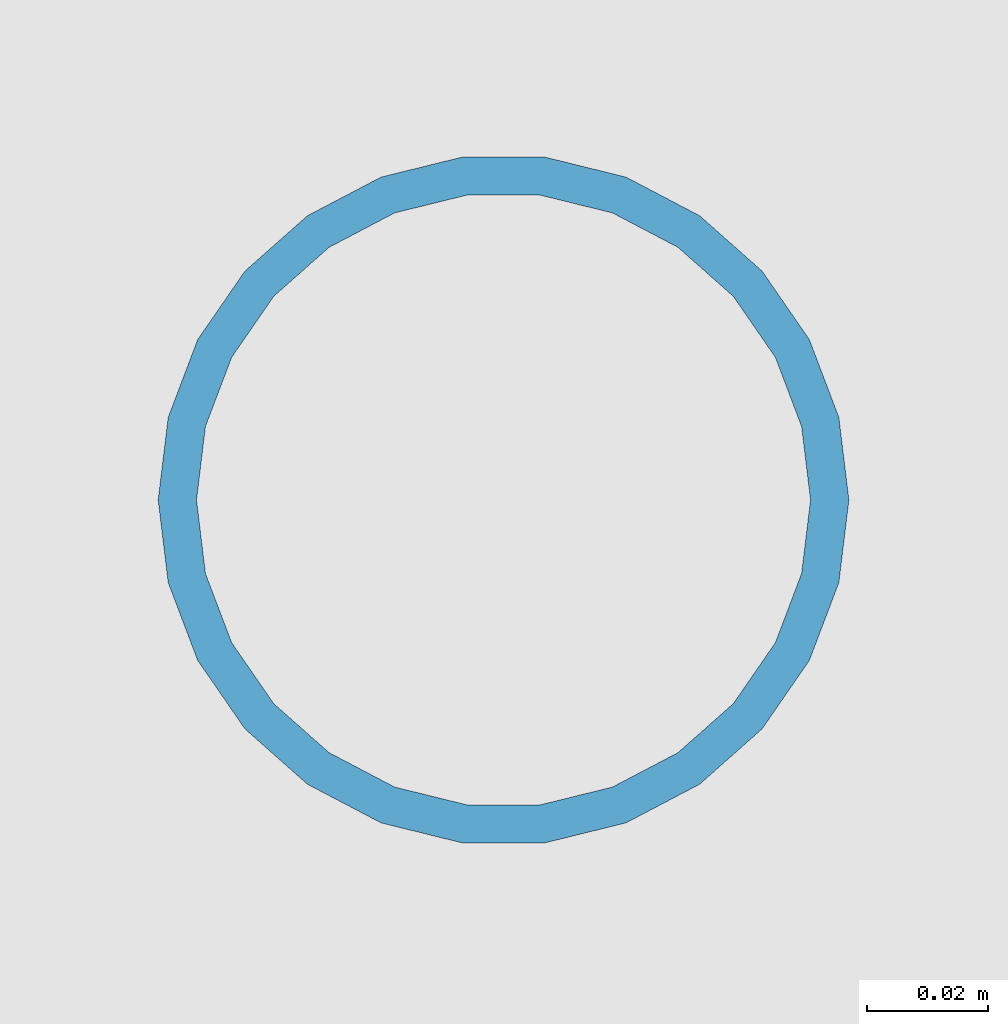
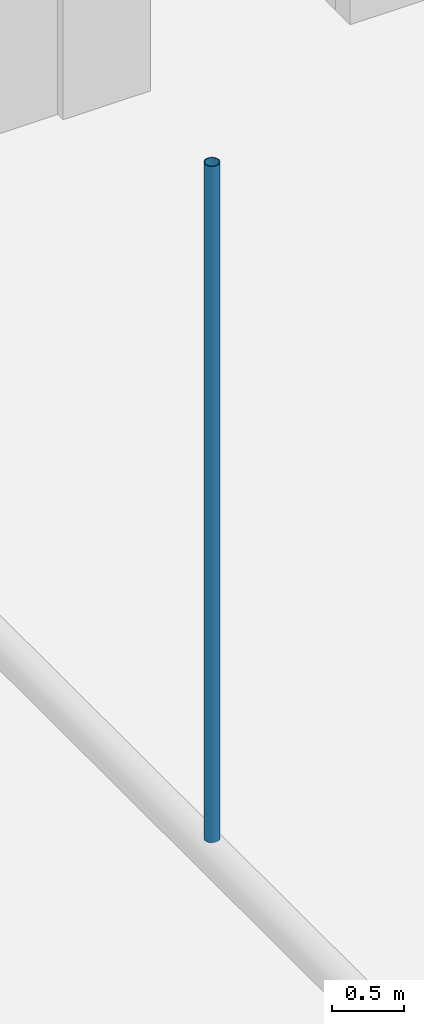
# One storey, part 65 of 212: 1 member.
"""IFC4 building model written with IfcOpenShell, lengths in metres."""

from ifc_helpers import new_model, si_unit, direction, frame, origin, origin_2d, place, context, subcontext, project, spatial, hollow_circle, extrude, material, material_profile, profile_set, type_object, element, save


model = new_model("IFC4")

# Units and contexts
model_context = context("Model", 3, precision=1e-05, world=origin(), true_north=direction((0.0, 1.0)))
body_context = subcontext(model_context, "Body", "Model", "MODEL_VIEW")
ifc_project = project(units=[si_unit("LENGTHUNIT", "METRE"), si_unit("AREAUNIT", "SQUARE_METRE"), si_unit("VOLUMEUNIT", "CUBIC_METRE"), si_unit("PLANEANGLEUNIT", "RADIAN"), si_unit("MASSUNIT", "GRAM", prefix="KILO")], contexts=[model_context])

# Site, building, storey
site_placement = place(None, origin())
site = spatial("IfcSite", under=ifc_project, at=site_placement, CompositionType="ELEMENT")
building_placement = place(site_placement, origin())
building = spatial("IfcBuilding", under=site, at=building_placement, Name="Catenary Quay Ferry Terminal", CompositionType="ELEMENT")
storey_placement = place(building_placement, origin())
storey = spatial("IfcBuildingStorey", under=building, at=storey_placement, Name="L00", CompositionType="ELEMENT", Elevation=0.0)

# Member
ifc_material = material(Name="Steel S355", Category="steel")
ifc_material_profile = material_profile(ifc_material, hollow_circle(Radius=0.05712890625, WallThickness=0.00634765625, at=origin_2d()), Name="CHS 114.3x6.3")
ifc_profile_set = profile_set([ifc_material_profile], Name="Steel S355")
member_type = type_object("IfcMemberType", Name="HG1 CHS 114.3x6.3", PredefinedType="POST", material=ifc_profile_set)
member_placement = place(storey_placement, frame((100.800048828125, 29.98193359375, 4.830078125), z_axis=(0.0, 0.0, 1.0), x_axis=(1.0, 0.0, 0.0)))
element("IfcMember", 1, at=member_placement, inside=storey, type_object=member_type, Name="Hanger CA-11-04", PredefinedType="POST", context=body_context, shape_type="SweptSolid", body=[
    extrude(hollow_circle(Radius=0.05712890625, WallThickness=0.00634765625, at=origin_2d()), origin(), (0.0, 0.0, 1.0), 5.72998046875),
])

save(model, "model.ifc")
